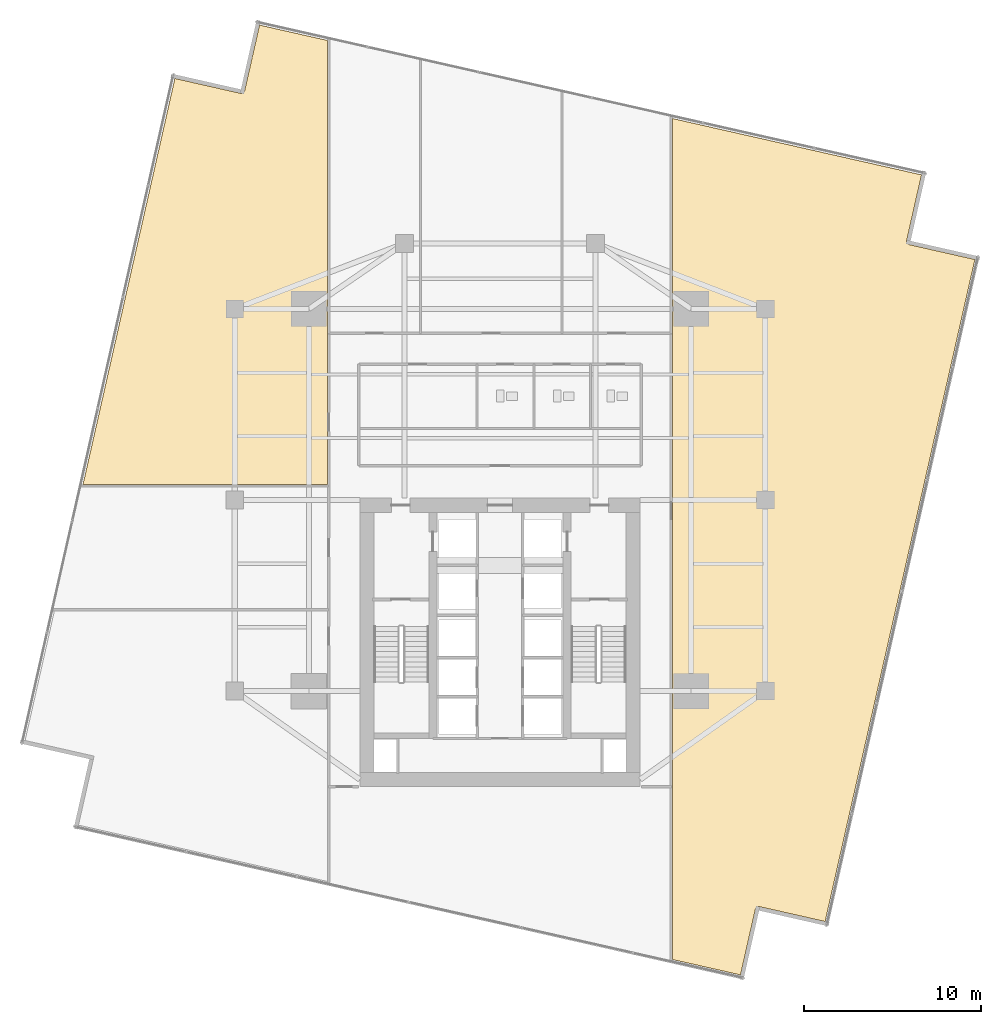
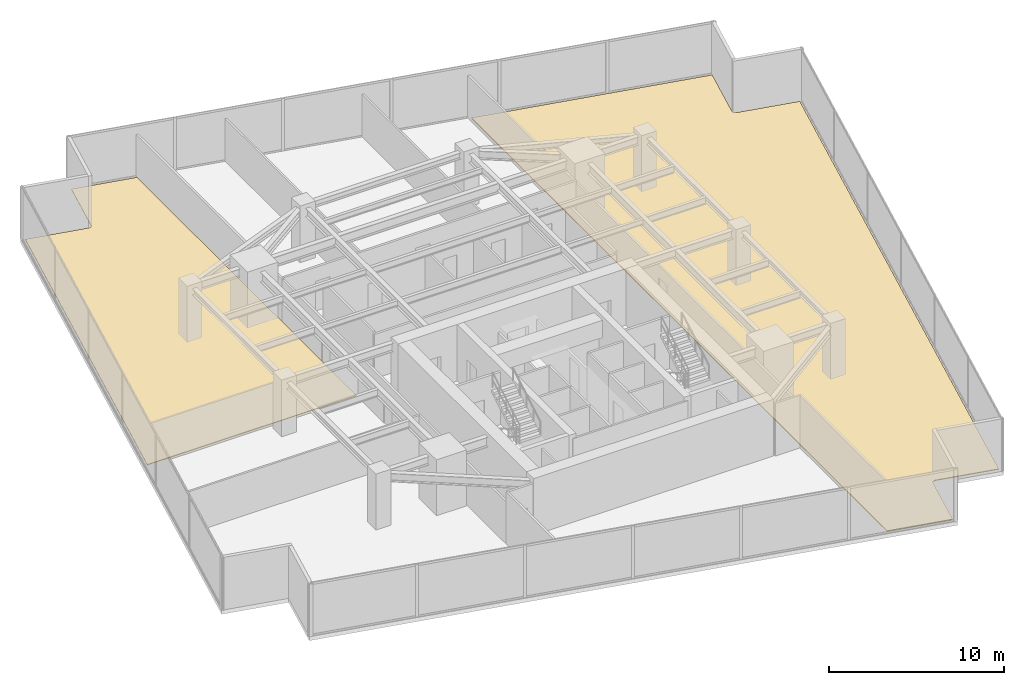
# One storey, part 26 of 27: 2 coverings.
"""IFC4 building model written with IfcOpenShell, lengths in metres."""

import ifcopenshell
import ifcopenshell.guid

model = None  # the IFC model being written
_history = None  # IfcOwnerHistory: only IFC2X3 demands one
_inside = {}  # id of a spatial element -> (the spatial element, [elements in it])
_under = {}  # id of a project, library or spatial element -> (it, [spatial elements below it])
_declared = {}  # id of a project -> (the project, [libraries it declares])
_typed = {}  # id of a type object -> (the type object, [elements of that type])
_made_of = {}  # id of a material, layer set ... -> (it, [elements and type objects made of it])


def new_model(schema):
    """Start an empty IFC model of exactly this schema.

    Asked for "IFC4X3", IfcOpenShell would pick the latest addendum, in which some entities
    have other attributes; the version numbers below select the first issue.
    IFC2X3 requires an IfcOwnerHistory on every rooted entity: one is made here for all.
    """
    global model, _history
    if schema == "IFC4X3":
        model = ifcopenshell.file(schema_version=(4, 3, 0, 0))
    else:
        model = ifcopenshell.file(schema=schema)
    _inside.clear()
    _under.clear()
    _declared.clear()
    _typed.clear()
    _made_of.clear()
    _history = None
    if model.schema == "IFC2X3":
        org = make("IfcOrganization", Name="unknown")
        user = make(
            "IfcPersonAndOrganization",
            ThePerson=make("IfcPerson", FamilyName="unknown"),
            TheOrganization=org,
        )
        app = make(
            "IfcApplication",
            ApplicationDeveloper=org,
            Version="unknown",
            ApplicationFullName="unknown",
            ApplicationIdentifier="unknown",
        )
        _history = make(
            "IfcOwnerHistory",
            OwningUser=user,
            OwningApplication=app,
            ChangeAction="ADDED",
            CreationDate=0,
        )
    return model


def make(cls, **values):
    """One entity of the class cls with the attributes given. An attribute that is None is left unset."""
    return model.create_entity(
        cls, **{name: value for name, value in values.items() if value is not None}
    )


def rooted(cls, **values):
    """An entity with a GlobalId (a new one), such as an element, a storey or a relation."""
    return make(cls, GlobalId=ifcopenshell.guid.new(), OwnerHistory=_history, **values)


def si_unit(unit_type, name, prefix=None):
    """IfcSIUnit, for example si_unit("LENGTHUNIT", "METRE", prefix="MILLI")."""
    return make("IfcSIUnit", UnitType=unit_type, Prefix=prefix, Name=name)


def assignment(units):
    """IfcUnitAssignment: the units of a project."""
    return None if units is None else make("IfcUnitAssignment", Units=units)


def point(xyz):
    """IfcCartesianPoint."""
    return None if xyz is None else make("IfcCartesianPoint", Coordinates=xyz)


def direction(xyz):
    """IfcDirection."""
    return None if xyz is None else make("IfcDirection", DirectionRatios=xyz)


def frame(location, z_axis=None, x_axis=None):
    """IfcAxis2Placement3D, a coordinate frame: its origin and axes. An axis left out is left unset."""
    return make(
        "IfcAxis2Placement3D",
        Location=point(location),
        Axis=direction(z_axis),
        RefDirection=direction(x_axis),
    )


def origin():
    """The frame at (0, 0, 0) with its axes left unset."""
    return frame((0.0, 0.0, 0.0))


def place(relative_to, where):
    """IfcLocalPlacement: puts the frame where relative to a parent placement (None: the world)."""
    return make(
        "IfcLocalPlacement", PlacementRelTo=relative_to, RelativePlacement=where
    )


def context(
    kind, dimensions, precision=None, world=None, true_north=None, identifier=None
):
    """IfcGeometricRepresentationContext, for example the 3D "Model" context."""
    return make(
        "IfcGeometricRepresentationContext",
        ContextIdentifier=identifier,
        ContextType=kind,
        CoordinateSpaceDimension=dimensions,
        Precision=precision,
        WorldCoordinateSystem=world,
        TrueNorth=true_north,
    )


def subcontext(parent, identifier, kind, view, scale=None):
    """IfcGeometricRepresentationSubContext, for example "Body" below "Model"."""
    return make(
        "IfcGeometricRepresentationSubContext",
        ContextIdentifier=identifier,
        ContextType=kind,
        ParentContext=parent,
        TargetScale=scale,
        TargetView=view,
    )


def project(units=None, contexts=None):
    """IfcProject with its units and contexts."""
    return rooted(
        "IfcProject",
        Name="project",
        RepresentationContexts=contexts,
        UnitsInContext=assignment(units),
    )


def spatial(cls, under=None, at=None, **own):
    """A site, building, storey or space (cls), placed at a placement, below another one or the project."""
    s = rooted(cls, ObjectPlacement=at, **own)
    if under is not None:
        _under.setdefault(under.id(), (under, []))[1].append(s)
    return s


def polyline(points):
    """IfcPolyline through the points."""
    return make("IfcPolyline", Points=[point(p) for p in points])


def outline(outer, holes=None, kind="AREA"):
    """IfcArbitraryClosedProfileDef: a profile drawn as a closed curve; with holes, ...WithVoids."""
    if holes is None:
        return make("IfcArbitraryClosedProfileDef", ProfileType=kind, OuterCurve=outer)
    return make(
        "IfcArbitraryProfileDefWithVoids",
        ProfileType=kind,
        OuterCurve=outer,
        InnerCurves=holes,
    )


def extrude(swept, where, along, depth):
    """IfcExtrudedAreaSolid: the profile swept, set in the frame where, extruded along a direction by depth."""
    return make(
        "IfcExtrudedAreaSolid",
        SweptArea=swept,
        Position=where,
        ExtrudedDirection=direction(along),
        Depth=depth,
    )


def shape(context_of_items, identifier, shape_type, items):
    """IfcShapeRepresentation: the items that make up one representation, for example the "Body"."""
    return make(
        "IfcShapeRepresentation",
        ContextOfItems=context_of_items,
        RepresentationIdentifier=identifier,
        RepresentationType=shape_type,
        Items=items,
    )


def material(Name=None, Category=None):
    """IfcMaterial."""
    return make("IfcMaterial", Name=Name, Category=Category)


def layer(
    of_material, thickness, ventilated=None, Name=None, Category=None, Priority=None
):
    """IfcMaterialLayer: one layer of a wall or slab, of a material (None: an air gap)."""
    return make(
        "IfcMaterialLayer",
        Material=of_material,
        LayerThickness=thickness,
        IsVentilated=ventilated,
        Name=Name,
        Category=Category,
        Priority=Priority,
    )


def layer_set(layers, Name=None):
    """IfcMaterialLayerSet."""
    return make("IfcMaterialLayerSet", MaterialLayers=layers, LayerSetName=Name)


def made_of(thing, what):
    """Note that an element or type object is made of a material, layer set ...; save() writes the relation."""
    if what is not None:
        _made_of.setdefault(what.id(), (what, []))[1].append(thing)
    return thing


def type_object(cls, material=None, **own):
    """A type object (cls), such as IfcWallType, which elements share."""
    return made_of(rooted(cls, **own), material)


def element(
    cls,
    number,
    at=None,
    inside=None,
    cuts=None,
    type_object=None,
    material=None,
    context=None,
    identifier="Body",
    shape_type=None,
    held_by="IfcProductDefinitionShape",
    body=None,
    shapes=None,
    **own,
):
    """One element of the class cls, such as IfcWall. Its Tag is "e" and its number.

    at: its placement. inside: the storey or other place that contains it. cuts: it is an
    opening in that element (IfcRelVoidsElement). A single representation is given by context,
    identifier, shape_type and body (its items); several are given by shapes. held_by: the class
    of the entity that holds the representations. save() writes the other relations.
    """
    e = rooted(cls, Tag="e%d" % number, ObjectPlacement=at, **own)
    if body is not None:
        shapes = [shape(context, identifier, shape_type, body)]
    if shapes is not None:
        e.Representation = make(held_by, Representations=shapes)
    if inside is not None:
        _inside.setdefault(inside.id(), (inside, []))[1].append(e)
    if cuts is not None:
        rooted(
            "IfcRelVoidsElement", RelatingBuildingElement=cuts, RelatedOpeningElement=e
        )
    if type_object is not None:
        _typed.setdefault(type_object.id(), (type_object, []))[1].append(e)
    return made_of(e, material)


def aggregate(whole, parts):
    """IfcRelAggregates: a whole, such as a stair, and the parts it consists of."""
    return rooted("IfcRelAggregates", RelatingObject=whole, RelatedObjects=parts)


def save(model, path):
    """Write the relations noted so far, then the file.

    IfcRelAggregates (storeys below a building ...), IfcRelContainedInSpatialStructure (elements
    in a storey), IfcRelDefinesByType, IfcRelAssociatesMaterial and IfcRelDeclares: one each for
    every whole, place, type object, material and project.
    """
    for whole, parts in _under.values():
        aggregate(whole, parts)
    for where, things in _inside.values():
        rooted(
            "IfcRelContainedInSpatialStructure",
            RelatedElements=things,
            RelatingStructure=where,
        )
    for kind, things in _typed.values():
        rooted("IfcRelDefinesByType", RelatedObjects=things, RelatingType=kind)
    for what, things in _made_of.values():
        rooted("IfcRelAssociatesMaterial", RelatedObjects=things, RelatingMaterial=what)
    for by, libraries in _declared.values():
        rooted("IfcRelDeclares", RelatingContext=by, RelatedDefinitions=libraries)
    model.write(path)


model = new_model("IFC4")

# Units and contexts
model_context = context("Model", 3, precision=1e-05, world=origin(), true_north=direction((0.0, 1.0)))
body_context = subcontext(model_context, "Body", "Model", "MODEL_VIEW")
ifc_project = project(units=[si_unit("LENGTHUNIT", "METRE"), si_unit("AREAUNIT", "SQUARE_METRE"), si_unit("VOLUMEUNIT", "CUBIC_METRE"), si_unit("PLANEANGLEUNIT", "RADIAN"), si_unit("MASSUNIT", "GRAM", prefix="KILO")], contexts=[model_context])

# Site, building, storey
site_placement = place(None, origin())
site = spatial("IfcSite", under=ifc_project, at=site_placement, CompositionType="ELEMENT")
building_placement = place(site_placement, origin())
building = spatial("IfcBuilding", under=site, at=building_placement, Name="Krantzveldt Concourse Tower", CompositionType="ELEMENT")
storey_placement = place(building_placement, frame((0.0, 0.0, 86.10009765625)))
storey = spatial("IfcBuildingStorey", under=building, at=storey_placement, Name="L20", CompositionType="ELEMENT", Elevation=86.10009765625)

# Coverings
ifc_material = material(Name="Calcium-sulphate raised access floor panel", Category="flooring")
ifc_layer = layer(ifc_material, 0.050048828125, Name="Calcium-sulphate raised access floor panel", Category="flooring")
ifc_layer_set = layer_set([ifc_layer], Name="Calcium-sulphate raised access floor panel (COV-FLOOR-RAISED)")
covering_type = type_object("IfcCoveringType", Name="COV-FLOOR-RAISED", PredefinedType="FLOORING", material=ifc_layer_set)
covering_1_placement = place(storey_placement, origin())
element("IfcCovering", 1, at=covering_1_placement, inside=storey, type_object=covering_type, Name="FLR-SP-L20-WR3", PredefinedType="FLOORING", context=body_context, shape_type="SweptSolid", body=[
    extrude(outline(polyline([(12.43310546875, 27.580078125), (17.62451171875, 50.52294921875), (21.311279296875, 49.6884765625), (21.33251953125, 49.684814453125), (21.354248046875, 49.683349609375), (21.375732421875, 49.683837890625), (21.397216796875, 49.686279296875), (21.418212890625, 49.69091796875), (21.438720703125, 49.69775390625), (21.45849609375, 49.70654296875), (21.477294921875, 49.717041015625), (21.494873046875, 49.7294921875), (21.51123046875, 49.74365234375), (21.526123046875, 49.75927734375), (21.53955078125, 49.776123046875), (21.551025390625, 49.79443359375), (21.560791015625, 49.813720703125), (21.568603515625, 49.833740234375), (21.574462890625, 49.854736328125), (22.40869140625, 53.54150390625), (26.239990234375, 52.674560546875), (26.239990234375, 27.580078125), (12.43310546875, 27.580078125)])), origin(), (0.0, 0.0, 1.0), 0.0498046875),
])
covering_2_placement = place(storey_placement, origin())
element("IfcCovering", 2, at=covering_2_placement, inside=storey, type_object=covering_type, Name="FLR-SP-L20-ER1", PredefinedType="FLOORING", context=body_context, shape_type="SweptSolid", body=[
    extrude(outline(polyline([(59.82275390625, 45.075439453125), (58.988525390625, 41.388671875), (58.98486328125, 41.367431640625), (58.983154296875, 41.345947265625), (58.983642578125, 41.32421875), (58.986328125, 41.302734375), (58.990966796875, 41.28173828125), (58.997802734375, 41.26123046875), (59.006591796875, 41.241455078125), (59.01708984375, 41.22265625), (59.029541015625, 41.205078125), (59.043701171875, 41.188720703125), (59.05908203125, 41.173828125), (59.076171875, 41.160400390625), (59.094482421875, 41.14892578125), (59.11376953125, 41.13916015625), (59.1337890625, 41.13134765625), (59.154541015625, 41.12548828125), (62.84130859375, 40.291259765625), (54.37548828125, 2.877197265625), (50.688720703125, 3.71142578125), (50.66748046875, 3.715087890625), (50.645751953125, 3.716796875), (50.624267578125, 3.71630859375), (50.602783203125, 3.713623046875), (50.581787109375, 3.708984375), (50.561279296875, 3.7021484375), (50.54150390625, 3.693603515625), (50.522705078125, 3.682861328125), (50.505126953125, 3.67041015625), (50.48876953125, 3.656494140625), (50.473876953125, 3.640869140625), (50.46044921875, 3.623779296875), (50.448974609375, 3.60546875), (50.439208984375, 3.58642578125), (50.431396484375, 3.566162109375), (50.425537109375, 3.54541015625), (49.59130859375, -0.141357421875), (45.760009765625, 0.7255859375), (45.760009765625, 48.257568359375), (59.82275390625, 45.075439453125)])), origin(), (0.0, 0.0, 1.0), 0.0498046875),
])

save(model, "model.ifc")
